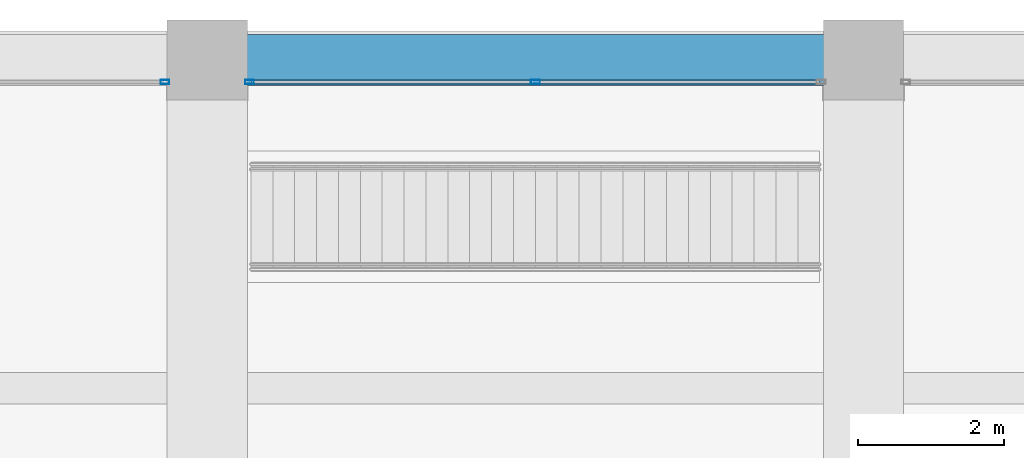
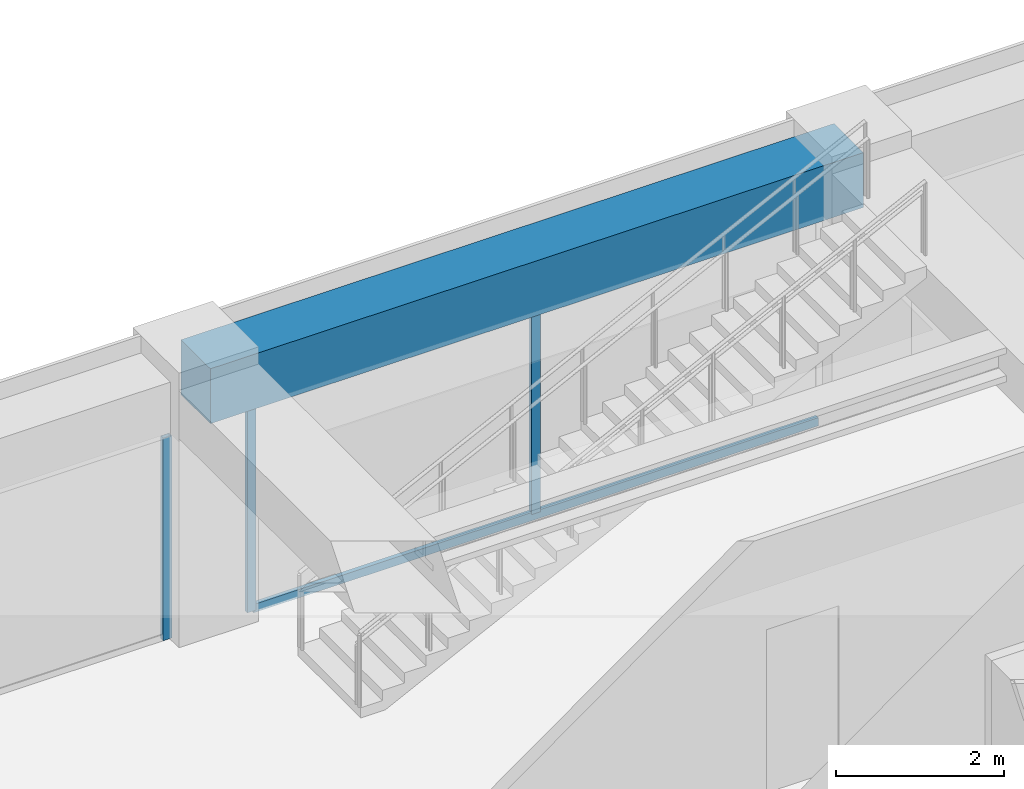
# One storey, part 33 of 45: 4 members, 1 beam, 2 elements without a shape of their own.
"""IFC4 building model written with IfcOpenShell, lengths in metres."""

import ifcopenshell
import ifcopenshell.guid

model = None  # the IFC model being written
_history = None  # IfcOwnerHistory: only IFC2X3 demands one
_inside = {}  # id of a spatial element -> (the spatial element, [elements in it])
_under = {}  # id of a project, library or spatial element -> (it, [spatial elements below it])
_declared = {}  # id of a project -> (the project, [libraries it declares])
_typed = {}  # id of a type object -> (the type object, [elements of that type])
_made_of = {}  # id of a material, layer set ... -> (it, [elements and type objects made of it])


def new_model(schema):
    """Start an empty IFC model of exactly this schema.

    Asked for "IFC4X3", IfcOpenShell would pick the latest addendum, in which some entities
    have other attributes; the version numbers below select the first issue.
    IFC2X3 requires an IfcOwnerHistory on every rooted entity: one is made here for all.
    """
    global model, _history
    if schema == "IFC4X3":
        model = ifcopenshell.file(schema_version=(4, 3, 0, 0))
    else:
        model = ifcopenshell.file(schema=schema)
    _inside.clear()
    _under.clear()
    _declared.clear()
    _typed.clear()
    _made_of.clear()
    _history = None
    if model.schema == "IFC2X3":
        org = make("IfcOrganization", Name="unknown")
        user = make(
            "IfcPersonAndOrganization",
            ThePerson=make("IfcPerson", FamilyName="unknown"),
            TheOrganization=org,
        )
        app = make(
            "IfcApplication",
            ApplicationDeveloper=org,
            Version="unknown",
            ApplicationFullName="unknown",
            ApplicationIdentifier="unknown",
        )
        _history = make(
            "IfcOwnerHistory",
            OwningUser=user,
            OwningApplication=app,
            ChangeAction="ADDED",
            CreationDate=0,
        )
    return model


def make(cls, **values):
    """One entity of the class cls with the attributes given. An attribute that is None is left unset."""
    return model.create_entity(
        cls, **{name: value for name, value in values.items() if value is not None}
    )


def rooted(cls, **values):
    """An entity with a GlobalId (a new one), such as an element, a storey or a relation."""
    return make(cls, GlobalId=ifcopenshell.guid.new(), OwnerHistory=_history, **values)


def si_unit(unit_type, name, prefix=None):
    """IfcSIUnit, for example si_unit("LENGTHUNIT", "METRE", prefix="MILLI")."""
    return make("IfcSIUnit", UnitType=unit_type, Prefix=prefix, Name=name)


def assignment(units):
    """IfcUnitAssignment: the units of a project."""
    return None if units is None else make("IfcUnitAssignment", Units=units)


def point(xyz):
    """IfcCartesianPoint."""
    return None if xyz is None else make("IfcCartesianPoint", Coordinates=xyz)


def direction(xyz):
    """IfcDirection."""
    return None if xyz is None else make("IfcDirection", DirectionRatios=xyz)


def frame(location, z_axis=None, x_axis=None):
    """IfcAxis2Placement3D, a coordinate frame: its origin and axes. An axis left out is left unset."""
    return make(
        "IfcAxis2Placement3D",
        Location=point(location),
        Axis=direction(z_axis),
        RefDirection=direction(x_axis),
    )


def frame_2d(location, x_axis=None):
    """IfcAxis2Placement2D, a coordinate frame in the plane: its origin and x axis."""
    return make(
        "IfcAxis2Placement2D", Location=point(location), RefDirection=direction(x_axis)
    )


def origin():
    """The frame at (0, 0, 0) with its axes left unset."""
    return frame((0.0, 0.0, 0.0))


def origin_2d():
    """The frame at (0, 0) in the plane with its x axis left unset."""
    return frame_2d((0.0, 0.0))


def place(relative_to, where):
    """IfcLocalPlacement: puts the frame where relative to a parent placement (None: the world)."""
    return make(
        "IfcLocalPlacement", PlacementRelTo=relative_to, RelativePlacement=where
    )


def context(
    kind, dimensions, precision=None, world=None, true_north=None, identifier=None
):
    """IfcGeometricRepresentationContext, for example the 3D "Model" context."""
    return make(
        "IfcGeometricRepresentationContext",
        ContextIdentifier=identifier,
        ContextType=kind,
        CoordinateSpaceDimension=dimensions,
        Precision=precision,
        WorldCoordinateSystem=world,
        TrueNorth=true_north,
    )


def subcontext(parent, identifier, kind, view, scale=None):
    """IfcGeometricRepresentationSubContext, for example "Body" below "Model"."""
    return make(
        "IfcGeometricRepresentationSubContext",
        ContextIdentifier=identifier,
        ContextType=kind,
        ParentContext=parent,
        TargetScale=scale,
        TargetView=view,
    )


def project(units=None, contexts=None):
    """IfcProject with its units and contexts."""
    return rooted(
        "IfcProject",
        Name="project",
        RepresentationContexts=contexts,
        UnitsInContext=assignment(units),
    )


def spatial(cls, under=None, at=None, **own):
    """A site, building, storey or space (cls), placed at a placement, below another one or the project."""
    s = rooted(cls, ObjectPlacement=at, **own)
    if under is not None:
        _under.setdefault(under.id(), (under, []))[1].append(s)
    return s


def profile(cls, at=None, kind="AREA", **sizes):
    """A parametric profile (cls). Its sizes go by their IFC names, for example OverallWidth=200.0."""
    return make(cls, ProfileType=kind, Position=at, **sizes)


def rectangle(**sizes):
    """IfcRectangleProfileDef."""
    return profile("IfcRectangleProfileDef", **sizes)


def hollow_rectangle(**sizes):
    """IfcRectangleHollowProfileDef."""
    return profile("IfcRectangleHollowProfileDef", **sizes)


def extrude(swept, where, along, depth):
    """IfcExtrudedAreaSolid: the profile swept, set in the frame where, extruded along a direction by depth."""
    return make(
        "IfcExtrudedAreaSolid",
        SweptArea=swept,
        Position=where,
        ExtrudedDirection=direction(along),
        Depth=depth,
    )


def shape(context_of_items, identifier, shape_type, items):
    """IfcShapeRepresentation: the items that make up one representation, for example the "Body"."""
    return make(
        "IfcShapeRepresentation",
        ContextOfItems=context_of_items,
        RepresentationIdentifier=identifier,
        RepresentationType=shape_type,
        Items=items,
    )


def material(Name=None, Category=None):
    """IfcMaterial."""
    return make("IfcMaterial", Name=Name, Category=Category)


def material_profile(
    of_material, cross_section, Name=None, Category=None, Priority=None
):
    """IfcMaterialProfile: a cross section and its material."""
    return make(
        "IfcMaterialProfile",
        Name=Name,
        Material=of_material,
        Profile=cross_section,
        Priority=Priority,
        Category=Category,
    )


def profile_set(profiles, Name=None, composite=None):
    """IfcMaterialProfileSet."""
    return make(
        "IfcMaterialProfileSet",
        Name=Name,
        MaterialProfiles=profiles,
        CompositeProfile=composite,
    )


def made_of(thing, what):
    """Note that an element or type object is made of a material, layer set ...; save() writes the relation."""
    if what is not None:
        _made_of.setdefault(what.id(), (what, []))[1].append(thing)
    return thing


def type_object(cls, material=None, **own):
    """A type object (cls), such as IfcWallType, which elements share."""
    return made_of(rooted(cls, **own), material)


def element(
    cls,
    number,
    at=None,
    inside=None,
    cuts=None,
    type_object=None,
    material=None,
    context=None,
    identifier="Body",
    shape_type=None,
    held_by="IfcProductDefinitionShape",
    body=None,
    shapes=None,
    **own,
):
    """One element of the class cls, such as IfcWall. Its Tag is "e" and its number.

    at: its placement. inside: the storey or other place that contains it. cuts: it is an
    opening in that element (IfcRelVoidsElement). A single representation is given by context,
    identifier, shape_type and body (its items); several are given by shapes. held_by: the class
    of the entity that holds the representations. save() writes the other relations.
    """
    e = rooted(cls, Tag="e%d" % number, ObjectPlacement=at, **own)
    if body is not None:
        shapes = [shape(context, identifier, shape_type, body)]
    if shapes is not None:
        e.Representation = make(held_by, Representations=shapes)
    if inside is not None:
        _inside.setdefault(inside.id(), (inside, []))[1].append(e)
    if cuts is not None:
        rooted(
            "IfcRelVoidsElement", RelatingBuildingElement=cuts, RelatedOpeningElement=e
        )
    if type_object is not None:
        _typed.setdefault(type_object.id(), (type_object, []))[1].append(e)
    return made_of(e, material)


def aggregate(whole, parts):
    """IfcRelAggregates: a whole, such as a stair, and the parts it consists of."""
    return rooted("IfcRelAggregates", RelatingObject=whole, RelatedObjects=parts)


def save(model, path):
    """Write the relations noted so far, then the file.

    IfcRelAggregates (storeys below a building ...), IfcRelContainedInSpatialStructure (elements
    in a storey), IfcRelDefinesByType, IfcRelAssociatesMaterial and IfcRelDeclares: one each for
    every whole, place, type object, material and project.
    """
    for whole, parts in _under.values():
        aggregate(whole, parts)
    for where, things in _inside.values():
        rooted(
            "IfcRelContainedInSpatialStructure",
            RelatedElements=things,
            RelatingStructure=where,
        )
    for kind, things in _typed.values():
        rooted("IfcRelDefinesByType", RelatedObjects=things, RelatingType=kind)
    for what, things in _made_of.values():
        rooted("IfcRelAssociatesMaterial", RelatedObjects=things, RelatingMaterial=what)
    for by, libraries in _declared.values():
        rooted("IfcRelDeclares", RelatingContext=by, RelatedDefinitions=libraries)
    model.write(path)


model = new_model("IFC4")

# Units and contexts
model_context = context("Model", 3, precision=1e-05, world=origin(), true_north=direction((0.0, 1.0)))
body_context = subcontext(model_context, "Body", "Model", "MODEL_VIEW")
ifc_project = project(units=[si_unit("LENGTHUNIT", "METRE"), si_unit("AREAUNIT", "SQUARE_METRE"), si_unit("VOLUMEUNIT", "CUBIC_METRE"), si_unit("PLANEANGLEUNIT", "RADIAN"), si_unit("MASSUNIT", "GRAM", prefix="KILO")], contexts=[model_context])

# Site, building, storey
site_placement = place(None, origin())
site = spatial("IfcSite", under=ifc_project, at=site_placement, CompositionType="ELEMENT")
building_placement = place(site_placement, origin())
building = spatial("IfcBuilding", under=site, at=building_placement, Name="Zorevar Civic Tower", CompositionType="ELEMENT")
storey_placement = place(building_placement, frame((0.0, 0.0, 291.39990234375)))
storey = spatial("IfcBuildingStorey", under=building, at=storey_placement, Name="L71", CompositionType="ELEMENT", Elevation=291.39990234375)

# Curtain wall, member
ifc_material_1 = material(Name="Dark grey solar-control glass in black aluminium frame", Category="aluminium")
curtain_wall_type = type_object("IfcCurtainWallType", Name="Curtain wall CW5 top zone", PredefinedType="NOTDEFINED", material=ifc_material_1)
curtain_wall_1_placement = place(storey_placement, origin())
curtain_wall_1 = element("IfcCurtainWall", 1, at=curtain_wall_1_placement, inside=storey, type_object=curtain_wall_type, Name="CW5 L71", PredefinedType="NOTDEFINED")
ifc_material_2 = material(Name="Aluminium, black anodised", Category="aluminium")
ifc_material_profile_1 = material_profile(ifc_material_2, hollow_rectangle(XDim=0.06005859375, YDim=0.1201171875, WallThickness=0.0029296875, at=origin_2d()), Name="AL 120x60x3")
ifc_profile_set_1 = profile_set([ifc_material_profile_1], Name="Aluminium, black anodised")
member_type_1 = type_object("IfcMemberType", Name="CW5 mullion AL 120x60x3", PredefinedType="MULLION", material=ifc_profile_set_1)
member_1_placement = place(storey_placement, frame((26.419921875, 44.699951171875, 0.0), z_axis=(0.0, 0.0, 1.0), x_axis=(0.0, 1.0, 0.0)))
member_1 = element("IfcMember", 2, at=member_1_placement, type_object=member_type_1, Name="CW5 mullion 3", PredefinedType="MULLION", context=body_context, shape_type="SweptSolid", body=[
    extrude(hollow_rectangle(XDim=0.06005859375, YDim=0.1201171875, WallThickness=0.0029296875, at=origin_2d()), origin(), (0.0, 0.0, 1.0), 2.9501953125),
])
aggregate(curtain_wall_1, [member_1])

# Curtain wall, members
curtain_wall_2_placement = place(storey_placement, origin())
curtain_wall_2 = element("IfcCurtainWall", 3, at=curtain_wall_2_placement, inside=storey, type_object=curtain_wall_type, Name="CW5 L71", PredefinedType="NOTDEFINED")
member_2_placement = place(storey_placement, frame((27.580078125, 44.699951171875, 0.0), z_axis=(0.0, 0.0, 1.0), x_axis=(0.0, 1.0, 0.0)))
member_2 = element("IfcMember", 4, at=member_2_placement, type_object=member_type_1, Name="CW5 mullion 1", PredefinedType="MULLION", context=body_context, shape_type="SweptSolid", body=[
    extrude(hollow_rectangle(XDim=0.06005859375, YDim=0.1201171875, WallThickness=0.0029296875, at=origin_2d()), origin(), (0.0, 0.0, 1.0), 2.9501953125),
])
member_3_placement = place(storey_placement, frame((31.5, 44.699951171875, 0.06005859375), z_axis=(0.0, 0.0, 1.0), x_axis=(0.0, 1.0, 0.0)))
member_3 = element("IfcMember", 5, at=member_3_placement, type_object=member_type_1, Name="CW5 mullion 2", PredefinedType="MULLION", context=body_context, shape_type="SweptSolid", body=[
    extrude(hollow_rectangle(XDim=0.06005859375, YDim=0.1201171875, WallThickness=0.0029296875, at=origin_2d()), origin(), (0.0, 0.0, 1.0), 2.89013671875),
])
ifc_material_3 = material(Name="Aluminium, black anodised", Category="aluminium")
ifc_material_profile_2 = material_profile(ifc_material_3, hollow_rectangle(XDim=0.06005859375, YDim=0.1201171875, WallThickness=0.0029296875, at=origin_2d()), Name="AL 120x60x3")
ifc_profile_set_2 = profile_set([ifc_material_profile_2], Name="Aluminium, black anodised")
member_type_2 = type_object("IfcMemberType", Name="CW5 transom AL 120x60x3", PredefinedType="USERDEFINED", material=ifc_profile_set_2)
member_4_placement = place(storey_placement, frame((27.610107421875, 44.699951171875, 0.030029296875), z_axis=(1.0, 0.0, 0.0), x_axis=(0.0, 1.0, 0.0)))
member_4 = element("IfcMember", 6, at=member_4_placement, type_object=member_type_2, Name="CW5 sill transom", ObjectType="TRANSOM", PredefinedType="USERDEFINED", context=body_context, shape_type="SweptSolid", body=[
    extrude(hollow_rectangle(XDim=0.06005859375, YDim=0.1201171875, WallThickness=0.0029296875, at=origin_2d()), origin(), (0.0, 0.0, 1.0), 7.77978515625),
])
aggregate(curtain_wall_2, [member_2, member_3, member_4])

# Beam
ifc_material_4 = material(Name="Concrete C50/60", Category="concrete")
ifc_material_profile_3 = material_profile(ifc_material_4, rectangle(XDim=0.699951171875, YDim=0.800048828125, at=origin_2d()), Name="RC 700x800")
ifc_profile_set_3 = profile_set([ifc_material_profile_3], Name="Concrete C50/60")
beam_type = type_object("IfcBeamType", Name="Edge beam RC 700x800", PredefinedType="SPANDREL", material=ifc_profile_set_3)
beam_placement = place(storey_placement, frame((27.0, 45.0, 3.35009765625), z_axis=(1.0, 0.0, 0.0), x_axis=(0.0, 1.0, 0.0)))
element("IfcBeam", 7, at=beam_placement, inside=storey, type_object=beam_type, Name="Edge beam L72", PredefinedType="SPANDREL", context=body_context, shape_type="SweptSolid", body=[
    extrude(rectangle(XDim=0.699951171875, YDim=0.800048828125, at=origin_2d()), origin(), (0.0, 0.0, 1.0), 9.0),
])

save(model, "model.ifc")
